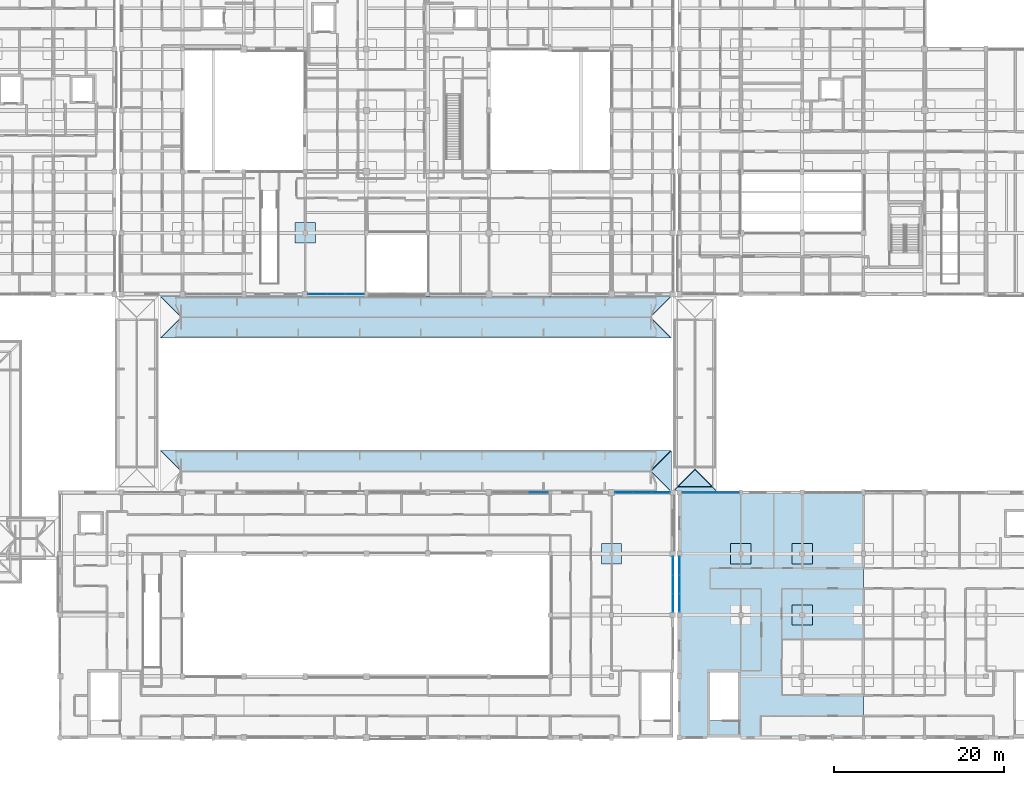
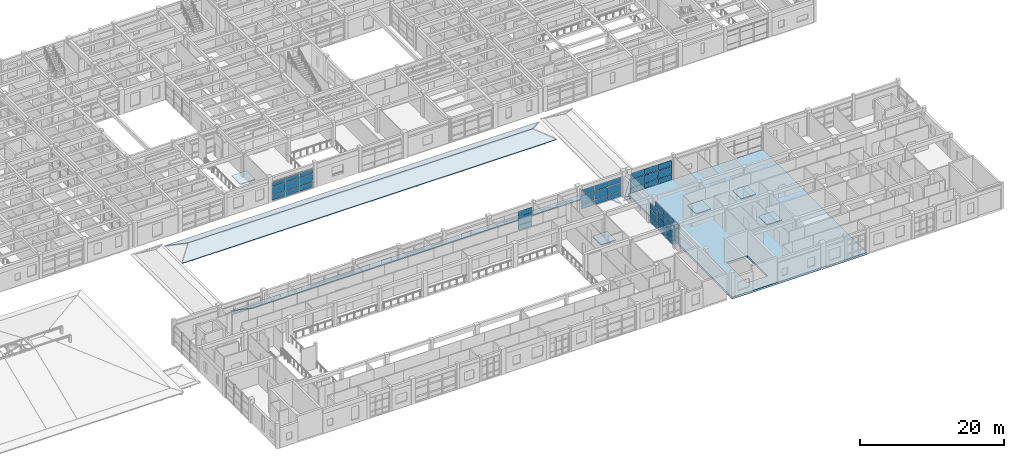
# One storey, part 62 of 110: 48 plates, 12 slabs, 9 elements without a shape of their own.
"""IFC4 building model written with IfcOpenShell, lengths in metres."""

from ifc_helpers import new_model, si_unit, direction, frame, origin, origin_2d, place, context, subcontext, project, spatial, polyline, rectangle, outline, extrude, material, layer, layer_set, type_object, element, aggregate, save


model = new_model("IFC4")

# Units and contexts
model_context = context("Model", 3, precision=1e-05, world=origin(), true_north=direction((0.0, 1.0)))
body_context = subcontext(model_context, "Body", "Model", "MODEL_VIEW")
ifc_project = project(units=[si_unit("LENGTHUNIT", "METRE"), si_unit("AREAUNIT", "SQUARE_METRE"), si_unit("VOLUMEUNIT", "CUBIC_METRE"), si_unit("PLANEANGLEUNIT", "RADIAN"), si_unit("MASSUNIT", "GRAM", prefix="KILO")], contexts=[model_context])

# Site, building, storey
site_placement = place(None, origin())
site = spatial("IfcSite", under=ifc_project, at=site_placement, CompositionType="ELEMENT")
building_placement = place(site_placement, origin())
building = spatial("IfcBuilding", under=site, at=building_placement, Name="Steenspoor Specialist Clinic", CompositionType="ELEMENT")
storey_placement = place(building_placement, frame((0.0, 0.0, 4.800048828125)))
storey = spatial("IfcBuildingStorey", under=building, at=storey_placement, Name="L01", CompositionType="ELEMENT", Elevation=4.800048828125)

# Curtain wall, plates
ifc_material_1 = material(Name="Thermally broken aluminium and low-emissivity glass", Category="aluminium")
curtain_wall_type_1 = type_object("IfcCurtainWallType", Name="CW-HALL-480X820", PredefinedType="USERDEFINED", material=ifc_material_1)
curtain_wall_1_placement = place(storey_placement, origin())
curtain_wall_1 = element("IfcCurtainWall", 1, at=curtain_wall_1_placement, inside=storey, type_object=curtain_wall_type_1, Name="Unitised Curtain Wall CW-V1-L01-027", ObjectType="UNITISED GLAZING", PredefinedType="USERDEFINED")
ifc_material_2 = material(Name="Double low-emissivity insulated glass", Category="glass")
ifc_layer_1 = layer(ifc_material_2, 0.035888671875)
ifc_layer_set_1 = layer_set([ifc_layer_1], Name="Double low-emissivity insulated glass")
plate_type_1 = type_object("IfcPlateType", Name="CW-PAN-GL36", PredefinedType="CURTAIN_PANEL", material=ifc_layer_set_1)
plate_1_placement = place(storey_placement, frame((111.478759765625, 41.85009765625, 0.06494140625), z_axis=(0.0, 0.0, 1.0), x_axis=(1.0, 0.0, 0.0)))
plate_1 = element("IfcPlate", 2, at=plate_1_placement, type_object=plate_type_1, Name="CW-03 panel 1.1", PredefinedType="CURTAIN_PANEL", context=body_context, shape_type="SweptSolid", body=[
    extrude(rectangle(XDim=2.077392578125, YDim=0.035888671875, at=origin_2d()), origin(), (0.0, 0.0, 1.0), 0.802490234375),
])
plate_2_placement = place(storey_placement, frame((111.478759765625, 41.85009765625, 0.9326171875), z_axis=(0.0, 0.0, 1.0), x_axis=(1.0, 0.0, 0.0)))
plate_2 = element("IfcPlate", 3, at=plate_2_placement, type_object=plate_type_1, Name="CW-03 panel 1.2", PredefinedType="CURTAIN_PANEL", context=body_context, shape_type="SweptSolid", body=[
    extrude(rectangle(XDim=2.077392578125, YDim=0.035888671875, at=origin_2d()), origin(), (0.0, 0.0, 1.0), 1.385009765625),
])
plate_3_placement = place(storey_placement, frame((111.478759765625, 41.85009765625, 2.38232421875), z_axis=(0.0, 0.0, 1.0), x_axis=(1.0, 0.0, 0.0)))
plate_3 = element("IfcPlate", 4, at=plate_3_placement, type_object=plate_type_1, Name="CW-03 panel 1.3", PredefinedType="CURTAIN_PANEL", context=body_context, shape_type="SweptSolid", body=[
    extrude(rectangle(XDim=2.077392578125, YDim=0.035888671875, at=origin_2d()), origin(), (0.0, 0.0, 1.0), 0.9326171875),
])
plate_4_placement = place(storey_placement, frame((113.637451171875, 41.85009765625, 0.06494140625), z_axis=(0.0, 0.0, 1.0), x_axis=(1.0, 0.0, 0.0)))
plate_4 = element("IfcPlate", 5, at=plate_4_placement, type_object=plate_type_1, Name="CW-03 panel 2.1", PredefinedType="CURTAIN_PANEL", context=body_context, shape_type="SweptSolid", body=[
    extrude(rectangle(XDim=2.110107421875, YDim=0.035888671875, at=origin_2d()), origin(), (0.0, 0.0, 1.0), 0.802490234375),
])
plate_5_placement = place(storey_placement, frame((113.637451171875, 41.85009765625, 0.9326171875), z_axis=(0.0, 0.0, 1.0), x_axis=(1.0, 0.0, 0.0)))
plate_5 = element("IfcPlate", 6, at=plate_5_placement, type_object=plate_type_1, Name="CW-03 panel 2.2", PredefinedType="CURTAIN_PANEL", context=body_context, shape_type="SweptSolid", body=[
    extrude(rectangle(XDim=2.110107421875, YDim=0.035888671875, at=origin_2d()), origin(), (0.0, 0.0, 1.0), 1.385009765625),
])
plate_6_placement = place(storey_placement, frame((113.637451171875, 41.85009765625, 2.38232421875), z_axis=(0.0, 0.0, 1.0), x_axis=(1.0, 0.0, 0.0)))
plate_6 = element("IfcPlate", 7, at=plate_6_placement, type_object=plate_type_1, Name="CW-03 panel 2.3", PredefinedType="CURTAIN_PANEL", context=body_context, shape_type="SweptSolid", body=[
    extrude(rectangle(XDim=2.110107421875, YDim=0.035888671875, at=origin_2d()), origin(), (0.0, 0.0, 1.0), 0.9326171875),
])
plate_7_placement = place(storey_placement, frame((115.796142578125, 41.85009765625, 0.06494140625), z_axis=(0.0, 0.0, 1.0), x_axis=(1.0, 0.0, 0.0)))
plate_7 = element("IfcPlate", 8, at=plate_7_placement, type_object=plate_type_1, Name="CW-03 panel 3.1", PredefinedType="CURTAIN_PANEL", context=body_context, shape_type="SweptSolid", body=[
    extrude(rectangle(XDim=2.077392578125, YDim=0.035888671875, at=origin_2d()), origin(), (0.0, 0.0, 1.0), 0.802490234375),
])
plate_8_placement = place(storey_placement, frame((115.796142578125, 41.85009765625, 0.9326171875), z_axis=(0.0, 0.0, 1.0), x_axis=(1.0, 0.0, 0.0)))
plate_8 = element("IfcPlate", 9, at=plate_8_placement, type_object=plate_type_1, Name="CW-03 panel 3.2", PredefinedType="CURTAIN_PANEL", context=body_context, shape_type="SweptSolid", body=[
    extrude(rectangle(XDim=2.077392578125, YDim=0.035888671875, at=origin_2d()), origin(), (0.0, 0.0, 1.0), 1.385009765625),
])
plate_9_placement = place(storey_placement, frame((115.796142578125, 41.85009765625, 2.38232421875), z_axis=(0.0, 0.0, 1.0), x_axis=(1.0, 0.0, 0.0)))
plate_9 = element("IfcPlate", 10, at=plate_9_placement, type_object=plate_type_1, Name="CW-03 panel 3.3", PredefinedType="CURTAIN_PANEL", context=body_context, shape_type="SweptSolid", body=[
    extrude(rectangle(XDim=2.077392578125, YDim=0.035888671875, at=origin_2d()), origin(), (0.0, 0.0, 1.0), 0.9326171875),
])
aggregate(curtain_wall_1, [plate_1, plate_2, plate_3, plate_4, plate_5, plate_6, plate_7, plate_8, plate_9])

curtain_wall_type_2 = type_object("IfcCurtainWallType", Name="CW-TYP-300X355", PredefinedType="USERDEFINED", material=ifc_material_1)
curtain_wall_2_placement = place(storey_placement, origin())
curtain_wall_2 = element("IfcCurtainWall", 11, at=curtain_wall_2_placement, inside=storey, type_object=curtain_wall_type_2, Name="Unitised Curtain Wall CW-V4-L01-063", ObjectType="UNITISED GLAZING", PredefinedType="USERDEFINED")
plate_10_placement = place(storey_placement, frame((79.84619140625, 65.14990234375, 0.059814453125), z_axis=(0.0, 0.0, 1.0), x_axis=(-1.0, 0.0, 0.0)))
plate_10 = element("IfcPlate", 12, at=plate_10_placement, type_object=plate_type_1, Name="CW-15 panel 1.1", PredefinedType="CURTAIN_PANEL", context=body_context, shape_type="SweptSolid", body=[
    extrude(rectangle(XDim=2.12744140625, YDim=0.035888671875, at=origin_2d()), origin(), (0.0, 0.0, 1.0), 0.81005859375),
])
plate_11_placement = place(storey_placement, frame((79.84619140625, 65.14990234375, 0.93017578125), z_axis=(0.0, 0.0, 1.0), x_axis=(-1.0, 0.0, 0.0)))
plate_11 = element("IfcPlate", 13, at=plate_11_placement, type_object=plate_type_1, Name="CW-15 panel 1.2", PredefinedType="CURTAIN_PANEL", context=body_context, shape_type="SweptSolid", body=[
    extrude(rectangle(XDim=2.12744140625, YDim=0.035888671875, at=origin_2d()), origin(), (0.0, 0.0, 1.0), 1.389892578125),
])
plate_12_placement = place(storey_placement, frame((79.84619140625, 65.14990234375, 2.3798828125), z_axis=(0.0, 0.0, 1.0), x_axis=(-1.0, 0.0, 0.0)))
plate_12 = element("IfcPlate", 14, at=plate_12_placement, type_object=plate_type_1, Name="CW-15 panel 1.3", PredefinedType="CURTAIN_PANEL", context=body_context, shape_type="SweptSolid", body=[
    extrude(rectangle(XDim=2.12744140625, YDim=0.035888671875, at=origin_2d()), origin(), (0.0, 0.0, 1.0), 0.68994140625),
])
plate_13_placement = place(storey_placement, frame((77.637451171875, 65.14990234375, 0.059814453125), z_axis=(0.0, 0.0, 1.0), x_axis=(-1.0, 0.0, 0.0)))
plate_13 = element("IfcPlate", 15, at=plate_13_placement, type_object=plate_type_1, Name="CW-15 panel 2.1", PredefinedType="CURTAIN_PANEL", context=body_context, shape_type="SweptSolid", body=[
    extrude(rectangle(XDim=2.159912109375, YDim=0.035888671875, at=origin_2d()), origin(), (0.0, 0.0, 1.0), 0.81005859375),
])
plate_14_placement = place(storey_placement, frame((77.637451171875, 65.14990234375, 0.93017578125), z_axis=(0.0, 0.0, 1.0), x_axis=(-1.0, 0.0, 0.0)))
plate_14 = element("IfcPlate", 16, at=plate_14_placement, type_object=plate_type_1, Name="CW-15 panel 2.2", PredefinedType="CURTAIN_PANEL", context=body_context, shape_type="SweptSolid", body=[
    extrude(rectangle(XDim=2.159912109375, YDim=0.035888671875, at=origin_2d()), origin(), (0.0, 0.0, 1.0), 1.389892578125),
])
plate_15_placement = place(storey_placement, frame((77.637451171875, 65.14990234375, 2.3798828125), z_axis=(0.0, 0.0, 1.0), x_axis=(-1.0, 0.0, 0.0)))
plate_15 = element("IfcPlate", 17, at=plate_15_placement, type_object=plate_type_1, Name="CW-15 panel 2.3", PredefinedType="CURTAIN_PANEL", context=body_context, shape_type="SweptSolid", body=[
    extrude(rectangle(XDim=2.159912109375, YDim=0.035888671875, at=origin_2d()), origin(), (0.0, 0.0, 1.0), 0.68994140625),
])
plate_16_placement = place(storey_placement, frame((75.4287109375, 65.14990234375, 0.059814453125), z_axis=(0.0, 0.0, 1.0), x_axis=(-1.0, 0.0, 0.0)))
plate_16 = element("IfcPlate", 18, at=plate_16_placement, type_object=plate_type_1, Name="CW-15 panel 3.1", PredefinedType="CURTAIN_PANEL", context=body_context, shape_type="SweptSolid", body=[
    extrude(rectangle(XDim=2.12744140625, YDim=0.035888671875, at=origin_2d()), origin(), (0.0, 0.0, 1.0), 0.81005859375),
])
plate_17_placement = place(storey_placement, frame((75.4287109375, 65.14990234375, 0.93017578125), z_axis=(0.0, 0.0, 1.0), x_axis=(-1.0, 0.0, 0.0)))
plate_17 = element("IfcPlate", 19, at=plate_17_placement, type_object=plate_type_1, Name="CW-15 panel 3.2", PredefinedType="CURTAIN_PANEL", context=body_context, shape_type="SweptSolid", body=[
    extrude(rectangle(XDim=2.12744140625, YDim=0.035888671875, at=origin_2d()), origin(), (0.0, 0.0, 1.0), 1.389892578125),
])
plate_18_placement = place(storey_placement, frame((75.4287109375, 65.14990234375, 2.3798828125), z_axis=(0.0, 0.0, 1.0), x_axis=(-1.0, 0.0, 0.0)))
plate_18 = element("IfcPlate", 20, at=plate_18_placement, type_object=plate_type_1, Name="CW-15 panel 3.3", PredefinedType="CURTAIN_PANEL", context=body_context, shape_type="SweptSolid", body=[
    extrude(rectangle(XDim=2.12744140625, YDim=0.035888671875, at=origin_2d()), origin(), (0.0, 0.0, 1.0), 0.68994140625),
])
aggregate(curtain_wall_2, [plate_10, plate_11, plate_12, plate_13, plate_14, plate_15, plate_16, plate_17, plate_18])

curtain_wall_type_3 = type_object("IfcCurtainWallType", Name="CW-L00-660X415", PredefinedType="USERDEFINED", material=ifc_material_1)
curtain_wall_3_placement = place(storey_placement, origin())
curtain_wall_3 = element("IfcCurtainWall", 21, at=curtain_wall_3_placement, inside=storey, type_object=curtain_wall_type_3, Name="Unitised Curtain Wall CW-V1-L01-028", ObjectType="UNITISED GLAZING", PredefinedType="USERDEFINED")
ifc_material_3 = material(Name="Triple acoustic laminated low-emissivity glass", Category="glass")
ifc_layer_2 = layer(ifc_material_3, 0.048095703125)
ifc_layer_set_2 = layer_set([ifc_layer_2], Name="Triple acoustic laminated low-emissivity glass")
plate_type_2 = type_object("IfcPlateType", Name="CW-PAN-GL48", PredefinedType="CURTAIN_PANEL", material=ifc_layer_set_2)
plate_19_placement = place(storey_placement, frame((117.199951171875, 33.235107421875, 0.059814453125), z_axis=(0.0, 0.0, 1.0), x_axis=(0.0, -1.0, 0.0)))
plate_19 = element("IfcPlate", 22, at=plate_19_placement, type_object=plate_type_2, Name="CW-04 panel 1.1", PredefinedType="CURTAIN_PANEL", context=body_context, shape_type="SweptSolid", body=[
    extrude(rectangle(XDim=2.110107421875, YDim=0.048095703125, at=origin_2d()), origin(), (0.0, 0.0, 1.0), 0.81005859375),
])
plate_20_placement = place(storey_placement, frame((117.199951171875, 33.235107421875, 0.93017578125), z_axis=(0.0, 0.0, 1.0), x_axis=(0.0, -1.0, 0.0)))
plate_20 = element("IfcPlate", 23, at=plate_20_placement, type_object=plate_type_2, Name="CW-04 panel 1.2", PredefinedType="CURTAIN_PANEL", context=body_context, shape_type="SweptSolid", body=[
    extrude(rectangle(XDim=2.110107421875, YDim=0.048095703125, at=origin_2d()), origin(), (0.0, 0.0, 1.0), 1.389892578125),
])
plate_21_placement = place(storey_placement, frame((117.199951171875, 33.235107421875, 2.3798828125), z_axis=(0.0, 0.0, 1.0), x_axis=(0.0, -1.0, 0.0)))
plate_21 = element("IfcPlate", 24, at=plate_21_placement, type_object=plate_type_2, Name="CW-04 panel 1.3", PredefinedType="CURTAIN_PANEL", context=body_context, shape_type="SweptSolid", body=[
    extrude(rectangle(XDim=2.110107421875, YDim=0.048095703125, at=origin_2d()), origin(), (0.0, 0.0, 1.0), 0.93994140625),
])
plate_22_placement = place(storey_placement, frame((117.199951171875, 31.050048828125, 0.059814453125), z_axis=(0.0, 0.0, 1.0), x_axis=(0.0, -1.0, 0.0)))
plate_22 = element("IfcPlate", 25, at=plate_22_placement, type_object=plate_type_2, Name="CW-04 panel 2.1", PredefinedType="CURTAIN_PANEL", context=body_context, shape_type="SweptSolid", body=[
    extrude(rectangle(XDim=2.139892578125, YDim=0.048095703125, at=origin_2d()), origin(), (0.0, 0.0, 1.0), 0.81005859375),
])
plate_23_placement = place(storey_placement, frame((117.199951171875, 31.050048828125, 0.93017578125), z_axis=(0.0, 0.0, 1.0), x_axis=(0.0, -1.0, 0.0)))
plate_23 = element("IfcPlate", 26, at=plate_23_placement, type_object=plate_type_2, Name="CW-04 panel 2.2", PredefinedType="CURTAIN_PANEL", context=body_context, shape_type="SweptSolid", body=[
    extrude(rectangle(XDim=2.139892578125, YDim=0.048095703125, at=origin_2d()), origin(), (0.0, 0.0, 1.0), 1.389892578125),
])
plate_24_placement = place(storey_placement, frame((117.199951171875, 31.050048828125, 2.3798828125), z_axis=(0.0, 0.0, 1.0), x_axis=(0.0, -1.0, 0.0)))
plate_24 = element("IfcPlate", 27, at=plate_24_placement, type_object=plate_type_2, Name="CW-04 panel 2.3", PredefinedType="CURTAIN_PANEL", context=body_context, shape_type="SweptSolid", body=[
    extrude(rectangle(XDim=2.139892578125, YDim=0.048095703125, at=origin_2d()), origin(), (0.0, 0.0, 1.0), 0.93994140625),
])
plate_25_placement = place(storey_placement, frame((117.199951171875, 28.864990234375, 0.059814453125), z_axis=(0.0, 0.0, 1.0), x_axis=(0.0, -1.0, 0.0)))
plate_25 = element("IfcPlate", 28, at=plate_25_placement, type_object=plate_type_2, Name="CW-04 panel 3.1", PredefinedType="CURTAIN_PANEL", context=body_context, shape_type="SweptSolid", body=[
    extrude(rectangle(XDim=2.110107421875, YDim=0.048095703125, at=origin_2d()), origin(), (0.0, 0.0, 1.0), 0.81005859375),
])
plate_26_placement = place(storey_placement, frame((117.199951171875, 28.864990234375, 0.93017578125), z_axis=(0.0, 0.0, 1.0), x_axis=(0.0, -1.0, 0.0)))
plate_26 = element("IfcPlate", 29, at=plate_26_placement, type_object=plate_type_2, Name="CW-04 panel 3.2", PredefinedType="CURTAIN_PANEL", context=body_context, shape_type="SweptSolid", body=[
    extrude(rectangle(XDim=2.110107421875, YDim=0.048095703125, at=origin_2d()), origin(), (0.0, 0.0, 1.0), 1.389892578125),
])
plate_27_placement = place(storey_placement, frame((117.199951171875, 28.864990234375, 2.3798828125), z_axis=(0.0, 0.0, 1.0), x_axis=(0.0, -1.0, 0.0)))
plate_27 = element("IfcPlate", 30, at=plate_27_placement, type_object=plate_type_2, Name="CW-04 panel 3.3", PredefinedType="CURTAIN_PANEL", context=body_context, shape_type="SweptSolid", body=[
    extrude(rectangle(XDim=2.110107421875, YDim=0.048095703125, at=origin_2d()), origin(), (0.0, 0.0, 1.0), 0.93994140625),
])
aggregate(curtain_wall_3, [plate_19, plate_20, plate_21, plate_22, plate_23, plate_24, plate_25, plate_26, plate_27])

curtain_wall_type_4 = type_object("IfcCurtainWallType", Name="CW-L00-360X415", PredefinedType="USERDEFINED", material=ifc_material_1)
curtain_wall_4_placement = place(storey_placement, origin())
curtain_wall_4 = element("IfcCurtainWall", 31, at=curtain_wall_4_placement, inside=storey, type_object=curtain_wall_type_4, Name="Unitised Curtain Wall CW-V2-L01-031", ObjectType="UNITISED GLAZING", PredefinedType="USERDEFINED")
plate_28_placement = place(storey_placement, frame((118.0, 28.8701171875, 0.070068359375), z_axis=(0.0, 0.0, 1.0), x_axis=(0.0, 1.0, 0.0)))
plate_28 = element("IfcPlate", 32, at=plate_28_placement, type_object=plate_type_2, Name="CW-07 panel 1.1", PredefinedType="CURTAIN_PANEL", context=body_context, shape_type="SweptSolid", body=[
    extrude(rectangle(XDim=2.080078125, YDim=0.048095703125, at=origin_2d()), origin(), (0.0, 0.0, 1.0), 0.794921875),
])
plate_29_placement = place(storey_placement, frame((118.0, 28.8701171875, 0.93505859375), z_axis=(0.0, 0.0, 1.0), x_axis=(0.0, 1.0, 0.0)))
plate_29 = element("IfcPlate", 33, at=plate_29_placement, type_object=plate_type_2, Name="CW-07 panel 1.2", PredefinedType="CURTAIN_PANEL", context=body_context, shape_type="SweptSolid", body=[
    extrude(rectangle(XDim=2.080078125, YDim=0.048095703125, at=origin_2d()), origin(), (0.0, 0.0, 1.0), 1.3798828125),
])
plate_30_placement = place(storey_placement, frame((118.0, 28.8701171875, 2.384765625), z_axis=(0.0, 0.0, 1.0), x_axis=(0.0, 1.0, 0.0)))
plate_30 = element("IfcPlate", 34, at=plate_30_placement, type_object=plate_type_2, Name="CW-07 panel 1.3", PredefinedType="CURTAIN_PANEL", context=body_context, shape_type="SweptSolid", body=[
    extrude(rectangle(XDim=2.080078125, YDim=0.048095703125, at=origin_2d()), origin(), (0.0, 0.0, 1.0), 0.925048828125),
])
plate_31_placement = place(storey_placement, frame((118.0, 31.050048828125, 0.070068359375), z_axis=(0.0, 0.0, 1.0), x_axis=(0.0, 1.0, 0.0)))
plate_31 = element("IfcPlate", 35, at=plate_31_placement, type_object=plate_type_2, Name="CW-07 panel 2.1", PredefinedType="CURTAIN_PANEL", context=body_context, shape_type="SweptSolid", body=[
    extrude(rectangle(XDim=2.1201171875, YDim=0.048095703125, at=origin_2d()), origin(), (0.0, 0.0, 1.0), 0.794921875),
])
plate_32_placement = place(storey_placement, frame((118.0, 31.050048828125, 0.93505859375), z_axis=(0.0, 0.0, 1.0), x_axis=(0.0, 1.0, 0.0)))
plate_32 = element("IfcPlate", 36, at=plate_32_placement, type_object=plate_type_2, Name="CW-07 panel 2.2", PredefinedType="CURTAIN_PANEL", context=body_context, shape_type="SweptSolid", body=[
    extrude(rectangle(XDim=2.1201171875, YDim=0.048095703125, at=origin_2d()), origin(), (0.0, 0.0, 1.0), 1.3798828125),
])
plate_33_placement = place(storey_placement, frame((118.0, 31.050048828125, 2.384765625), z_axis=(0.0, 0.0, 1.0), x_axis=(0.0, 1.0, 0.0)))
plate_33 = element("IfcPlate", 37, at=plate_33_placement, type_object=plate_type_2, Name="CW-07 panel 2.3", PredefinedType="CURTAIN_PANEL", context=body_context, shape_type="SweptSolid", body=[
    extrude(rectangle(XDim=2.1201171875, YDim=0.048095703125, at=origin_2d()), origin(), (0.0, 0.0, 1.0), 0.925048828125),
])
plate_34_placement = place(storey_placement, frame((118.0, 33.22998046875, 0.070068359375), z_axis=(0.0, 0.0, 1.0), x_axis=(0.0, 1.0, 0.0)))
plate_34 = element("IfcPlate", 38, at=plate_34_placement, type_object=plate_type_2, Name="CW-07 panel 3.1", PredefinedType="CURTAIN_PANEL", context=body_context, shape_type="SweptSolid", body=[
    extrude(rectangle(XDim=2.080078125, YDim=0.048095703125, at=origin_2d()), origin(), (0.0, 0.0, 1.0), 0.794921875),
])
plate_35_placement = place(storey_placement, frame((118.0, 33.22998046875, 0.93505859375), z_axis=(0.0, 0.0, 1.0), x_axis=(0.0, 1.0, 0.0)))
plate_35 = element("IfcPlate", 39, at=plate_35_placement, type_object=plate_type_2, Name="CW-07 panel 3.2", PredefinedType="CURTAIN_PANEL", context=body_context, shape_type="SweptSolid", body=[
    extrude(rectangle(XDim=2.080078125, YDim=0.048095703125, at=origin_2d()), origin(), (0.0, 0.0, 1.0), 1.3798828125),
])
plate_36_placement = place(storey_placement, frame((118.0, 33.22998046875, 2.384765625), z_axis=(0.0, 0.0, 1.0), x_axis=(0.0, 1.0, 0.0)))
plate_36 = element("IfcPlate", 40, at=plate_36_placement, type_object=plate_type_2, Name="CW-07 panel 3.3", PredefinedType="CURTAIN_PANEL", context=body_context, shape_type="SweptSolid", body=[
    extrude(rectangle(XDim=2.080078125, YDim=0.048095703125, at=origin_2d()), origin(), (0.0, 0.0, 1.0), 0.925048828125),
])
aggregate(curtain_wall_4, [plate_28, plate_29, plate_30, plate_31, plate_32, plate_33, plate_34, plate_35, plate_36])

curtain_wall_type_5 = type_object("IfcCurtainWallType", Name="CW-HALL-650X820", PredefinedType="USERDEFINED", material=ifc_material_1)
curtain_wall_5_placement = place(storey_placement, origin())
curtain_wall_5 = element("IfcCurtainWall", 41, at=curtain_wall_5_placement, inside=storey, type_object=curtain_wall_type_5, Name="Unitised Curtain Wall CW-V1-L01-026", ObjectType="UNITISED GLAZING", PredefinedType="USERDEFINED")
ifc_material_4 = material(Name="Insulated glazed ceramic spandrel panel", Category="glass")
ifc_layer_3 = layer(ifc_material_4, 0.074951171875)
ifc_layer_set_3 = layer_set([ifc_layer_3], Name="Insulated glazed ceramic spandrel panel")
plate_type_3 = type_object("IfcPlateType", Name="CW-PAN-SP75", PredefinedType="CURTAIN_PANEL", material=ifc_layer_set_3)
plate_37_placement = place(storey_placement, frame((101.469970703125, 41.85009765625, 0.070068359375), z_axis=(0.0, 0.0, 1.0), x_axis=(1.0, 0.0, 0.0)))
plate_37 = element("IfcPlate", 42, at=plate_37_placement, type_object=plate_type_3, Name="CW-02 panel 3.1", PredefinedType="CURTAIN_PANEL", context=body_context, shape_type="SweptSolid", body=[
    extrude(rectangle(XDim=2.1201171875, YDim=0.074951171875, at=origin_2d()), origin(), (0.0, 0.0, 1.0), 0.794921875),
])
plate_38_placement = place(storey_placement, frame((101.469970703125, 41.85009765625, 0.93505859375), z_axis=(0.0, 0.0, 1.0), x_axis=(1.0, 0.0, 0.0)))
plate_38 = element("IfcPlate", 43, at=plate_38_placement, type_object=plate_type_3, Name="CW-02 panel 3.2", PredefinedType="CURTAIN_PANEL", context=body_context, shape_type="SweptSolid", body=[
    extrude(rectangle(XDim=2.1201171875, YDim=0.074951171875, at=origin_2d()), origin(), (0.0, 0.0, 1.0), 1.3798828125),
])
plate_39_placement = place(storey_placement, frame((101.469970703125, 41.85009765625, 2.384765625), z_axis=(0.0, 0.0, 1.0), x_axis=(1.0, 0.0, 0.0)))
plate_39 = element("IfcPlate", 44, at=plate_39_placement, type_object=plate_type_3, Name="CW-02 panel 3.3", PredefinedType="CURTAIN_PANEL", context=body_context, shape_type="SweptSolid", body=[
    extrude(rectangle(XDim=2.1201171875, YDim=0.074951171875, at=origin_2d()), origin(), (0.0, 0.0, 1.0), 0.844970703125),
])
aggregate(curtain_wall_5, [plate_37, plate_38, plate_39])

curtain_wall_type_6 = type_object("IfcCurtainWallType", Name="CW-L00-240X415", PredefinedType="USERDEFINED", material=ifc_material_1)
curtain_wall_6_placement = place(storey_placement, origin())
curtain_wall_6 = element("IfcCurtainWall", 45, at=curtain_wall_6_placement, inside=storey, type_object=curtain_wall_type_6, Name="Unitised Curtain Wall CW-V2-L01-032", ObjectType="UNITISED GLAZING", PredefinedType="USERDEFINED")
plate_40_placement = place(storey_placement, frame((119.43408203125, 41.85009765625, 0.06494140625), z_axis=(0.0, 0.0, 1.0), x_axis=(1.0, 0.0, 0.0)))
plate_40 = element("IfcPlate", 46, at=plate_40_placement, type_object=plate_type_3, Name="CW-08 panel 1.1", PredefinedType="CURTAIN_PANEL", context=body_context, shape_type="SweptSolid", body=[
    extrude(rectangle(XDim=2.12841796875, YDim=0.074951171875, at=origin_2d()), origin(), (0.0, 0.0, 1.0), 0.802490234375),
])
plate_41_placement = place(storey_placement, frame((119.43408203125, 41.85009765625, 0.9326171875), z_axis=(0.0, 0.0, 1.0), x_axis=(1.0, 0.0, 0.0)))
plate_41 = element("IfcPlate", 47, at=plate_41_placement, type_object=plate_type_3, Name="CW-08 panel 1.2", PredefinedType="CURTAIN_PANEL", context=body_context, shape_type="SweptSolid", body=[
    extrude(rectangle(XDim=2.12841796875, YDim=0.074951171875, at=origin_2d()), origin(), (0.0, 0.0, 1.0), 1.385009765625),
])
plate_42_placement = place(storey_placement, frame((119.43408203125, 41.85009765625, 2.38232421875), z_axis=(0.0, 0.0, 1.0), x_axis=(1.0, 0.0, 0.0)))
plate_42 = element("IfcPlate", 48, at=plate_42_placement, type_object=plate_type_3, Name="CW-08 panel 1.3", PredefinedType="CURTAIN_PANEL", context=body_context, shape_type="SweptSolid", body=[
    extrude(rectangle(XDim=2.12841796875, YDim=0.074951171875, at=origin_2d()), origin(), (0.0, 0.0, 1.0), 0.9326171875),
])
plate_43_placement = place(storey_placement, frame((121.64990234375, 41.85009765625, 0.06494140625), z_axis=(0.0, 0.0, 1.0), x_axis=(1.0, 0.0, 0.0)))
plate_43 = element("IfcPlate", 49, at=plate_43_placement, type_object=plate_type_3, Name="CW-08 panel 2.1", PredefinedType="CURTAIN_PANEL", context=body_context, shape_type="SweptSolid", body=[
    extrude(rectangle(XDim=2.163330078125, YDim=0.074951171875, at=origin_2d()), origin(), (0.0, 0.0, 1.0), 0.802490234375),
])
plate_44_placement = place(storey_placement, frame((121.64990234375, 41.85009765625, 0.9326171875), z_axis=(0.0, 0.0, 1.0), x_axis=(1.0, 0.0, 0.0)))
plate_44 = element("IfcPlate", 50, at=plate_44_placement, type_object=plate_type_3, Name="CW-08 panel 2.2", PredefinedType="CURTAIN_PANEL", context=body_context, shape_type="SweptSolid", body=[
    extrude(rectangle(XDim=2.163330078125, YDim=0.074951171875, at=origin_2d()), origin(), (0.0, 0.0, 1.0), 1.385009765625),
])
plate_45_placement = place(storey_placement, frame((121.64990234375, 41.85009765625, 2.38232421875), z_axis=(0.0, 0.0, 1.0), x_axis=(1.0, 0.0, 0.0)))
plate_45 = element("IfcPlate", 51, at=plate_45_placement, type_object=plate_type_3, Name="CW-08 panel 2.3", PredefinedType="CURTAIN_PANEL", context=body_context, shape_type="SweptSolid", body=[
    extrude(rectangle(XDim=2.163330078125, YDim=0.074951171875, at=origin_2d()), origin(), (0.0, 0.0, 1.0), 0.9326171875),
])
plate_46_placement = place(storey_placement, frame((123.86572265625, 41.85009765625, 0.06494140625), z_axis=(0.0, 0.0, 1.0), x_axis=(1.0, 0.0, 0.0)))
plate_46 = element("IfcPlate", 52, at=plate_46_placement, type_object=plate_type_3, Name="CW-08 panel 3.1", PredefinedType="CURTAIN_PANEL", context=body_context, shape_type="SweptSolid", body=[
    extrude(rectangle(XDim=2.12841796875, YDim=0.074951171875, at=origin_2d()), origin(), (0.0, 0.0, 1.0), 0.802490234375),
])
plate_47_placement = place(storey_placement, frame((123.86572265625, 41.85009765625, 0.9326171875), z_axis=(0.0, 0.0, 1.0), x_axis=(1.0, 0.0, 0.0)))
plate_47 = element("IfcPlate", 53, at=plate_47_placement, type_object=plate_type_3, Name="CW-08 panel 3.2", PredefinedType="CURTAIN_PANEL", context=body_context, shape_type="SweptSolid", body=[
    extrude(rectangle(XDim=2.12841796875, YDim=0.074951171875, at=origin_2d()), origin(), (0.0, 0.0, 1.0), 1.385009765625),
])
plate_48_placement = place(storey_placement, frame((123.86572265625, 41.85009765625, 2.38232421875), z_axis=(0.0, 0.0, 1.0), x_axis=(1.0, 0.0, 0.0)))
plate_48 = element("IfcPlate", 54, at=plate_48_placement, type_object=plate_type_3, Name="CW-08 panel 3.3", PredefinedType="CURTAIN_PANEL", context=body_context, shape_type="SweptSolid", body=[
    extrude(rectangle(XDim=2.12841796875, YDim=0.074951171875, at=origin_2d()), origin(), (0.0, 0.0, 1.0), 0.9326171875),
])
aggregate(curtain_wall_6, [plate_40, plate_41, plate_42, plate_43, plate_44, plate_45, plate_46, plate_47, plate_48])

# Slabs
ifc_material_5 = material(Name="Concrete C35/45", Category="concrete")
ifc_layer_4 = layer(ifc_material_5, 0.169921875)
ifc_layer_set_4 = layer_set([ifc_layer_4], Name="Concrete C35/45")
slab_type_1 = type_object("IfcSlabType", Name="SL-DROP-170", PredefinedType="USERDEFINED", material=ifc_layer_set_4)
slab_1_placement = place(storey_placement, frame((0.0, 0.0, -0.420166015625)))
element("IfcSlab", 55, at=slab_1_placement, inside=storey, type_object=slab_type_1, Name="Column Drop Panel DROP-V1-L01-004", ObjectType="DROP PANEL", PredefinedType="USERDEFINED", context=body_context, shape_type="SweptSolid", body=[
    extrude(outline(polyline([(111.199951171875, 33.449951171875), (111.199951171875, 35.85009765625), (108.800048828125, 35.85009765625), (108.800048828125, 33.449951171875), (111.199951171875, 33.449951171875)])), origin(), (0.0, 0.0, 1.0), 0.170166015625),
])
slab_2_placement = place(storey_placement, frame((0.0, 0.0, -0.510009765625)))
element("IfcSlab", 56, at=slab_2_placement, inside=storey, type_object=slab_type_1, Name="Column Drop Panel DROP-V2-L01-006", ObjectType="DROP PANEL", PredefinedType="USERDEFINED", context=body_context, shape_type="SweptSolid", body=[
    extrude(outline(polyline([(126.39990234375, 33.449951171875), (126.39990234375, 35.85009765625), (124.0, 35.85009765625), (124.0, 33.449951171875), (126.39990234375, 33.449951171875)])), origin(), (0.0, 0.0, 1.0), 0.169921875),
])
slab_3_placement = place(storey_placement, frame((0.0, 0.0, -0.510009765625)))
element("IfcSlab", 57, at=slab_3_placement, inside=storey, type_object=slab_type_1, Name="Column Drop Panel DROP-V2-L01-008", ObjectType="DROP PANEL", PredefinedType="USERDEFINED", context=body_context, shape_type="SweptSolid", body=[
    extrude(outline(polyline([(133.60009765625, 26.25), (133.60009765625, 28.64990234375), (131.199951171875, 28.64990234375), (131.199951171875, 26.25), (133.60009765625, 26.25)])), origin(), (0.0, 0.0, 1.0), 0.169921875),
])
slab_4_placement = place(storey_placement, frame((0.0, 0.0, -0.510009765625)))
element("IfcSlab", 58, at=slab_4_placement, inside=storey, type_object=slab_type_1, Name="Column Drop Panel DROP-V2-L01-009", ObjectType="DROP PANEL", PredefinedType="USERDEFINED", context=body_context, shape_type="SweptSolid", body=[
    extrude(outline(polyline([(133.60009765625, 33.449951171875), (133.60009765625, 35.85009765625), (131.199951171875, 35.85009765625), (131.199951171875, 33.449951171875), (133.60009765625, 33.449951171875)])), origin(), (0.0, 0.0, 1.0), 0.169921875),
])
slab_5_placement = place(storey_placement, frame((0.0, 0.0, -0.420166015625)))
element("IfcSlab", 59, at=slab_5_placement, inside=storey, type_object=slab_type_1, Name="Column Drop Panel DROP-V4-L01-022", ObjectType="DROP PANEL", PredefinedType="USERDEFINED", context=body_context, shape_type="SweptSolid", body=[
    extrude(outline(polyline([(75.199951171875, 71.14990234375), (75.199951171875, 73.550048828125), (72.800048828125, 73.550048828125), (72.800048828125, 71.14990234375), (75.199951171875, 71.14990234375)])), origin(), (0.0, 0.0, 1.0), 0.170166015625),
])
ifc_layer_5 = layer(ifc_material_5, 0.340087890625)
ifc_layer_set_5 = layer_set([ifc_layer_5], Name="Concrete C35/45")
slab_type_2 = type_object("IfcSlabType", Name="SL-IMAGING-340", PredefinedType="FLOOR", material=ifc_layer_set_5)
slab_6_placement = place(storey_placement, frame((0.0, 0.0, -0.340087890625)))
element("IfcSlab", 60, at=slab_6_placement, inside=storey, type_object=slab_type_2, Name="Structural Slab SLAB-V2-L01-010", PredefinedType="FLOOR", context=body_context, shape_type="SweptSolid", body=[
    extrude(outline(polyline([(118.0, 41.85009765625), (139.60009765625, 41.85009765625), (139.60009765625, 13.050048828125), (118.0, 13.050048828125), (118.0, 41.85009765625)]), holes=[polyline([(124.85009765625, 20.699951171875), (121.550048828125, 20.699951171875), (121.550048828125, 15.050048828125), (124.85009765625, 15.050048828125), (124.85009765625, 20.699951171875)])]), origin(), (0.0, 0.0, 1.0), 0.340087890625),
])

# Roof, slabs
ifc_material_6 = material(Name="Extruded terracotta clay roof tile", Category="masonry")
roof_type = type_object("IfcRoofType", Name="ROOF-HIP-TIER", PredefinedType="HIP_ROOF", material=ifc_material_6)
roof_1_placement = place(storey_placement, origin())
roof_1 = element("IfcRoof", 61, at=roof_1_placement, inside=storey, type_object=roof_type, Name="Tiered Hipped Roof WK2", PredefinedType="HIP_ROOF")
ifc_layer_6 = layer(ifc_material_5, 0.14990234375)
ifc_layer_set_6 = layer_set([ifc_layer_6], Name="Concrete C35/45")
slab_type_3 = type_object("IfcSlabType", Name="SL-ROOF-150", PredefinedType="ROOF", material=ifc_layer_set_6)
slab_7_placement = place(storey_placement, frame((117.75048828125, 42.490966796875, -0.89013671875), z_axis=(0.0, -0.241777034717, 0.970331832665), x_axis=(-0.696579139828, -0.696193650542, -0.173470178707)))
slab_7 = element("IfcSlab", 62, at=slab_7_placement, type_object=slab_type_3, Name="Hipped Roof Slab RSLAB-WK2-SKS", PredefinedType="ROOF", context=body_context, shape_type="SweptSolid", body=[
    extrude(outline(polyline([(0.0, 0.0), (0.6333266159588132, -1.0408340855860843e-17), (-2.8364742116579236, 3.5739120486322946), (-2.855362245536686, 2.9410372639580564), (0.0, 0.0)])), origin(), (0.0, 0.0, -1.0), 0.14990234375),
])
slab_8_placement = place(storey_placement, frame((119.800048828125, 44.54052734375, 0.412109375), z_axis=(0.0, -0.537295164305, 0.843394276963), x_axis=(-0.644757355171, -0.644679878921, -0.410701602952)))
slab_8 = element("IfcSlab", 63, at=slab_8_placement, type_object=slab_type_3, Name="Hipped Roof Slab RSLAB-WK2-S", PredefinedType="ROOF", context=body_context, shape_type="SweptSolid", body=[
    extrude(outline(polyline([(0.0, 0.0), (3.151167280147215, -2.7755575615628914e-16), (0.5313682903728886, 3.1058832829572967), (0.0, 0.0)])), origin(), (0.0, 0.0, -1.0), 0.14990234375),
])
aggregate(roof_1, [slab_7, slab_8])

roof_2_placement = place(storey_placement, origin())
roof_2 = element("IfcRoof", 64, at=roof_2_placement, inside=storey, type_object=roof_type, Name="Tiered Hipped Roof WK4", PredefinedType="HIP_ROOF")
slab_9_placement = place(storey_placement, frame((59.41748046875, 62.407958984375, -0.269775390625), z_axis=(0.0, -0.424939369225, 0.905221813967), x_axis=(-0.671100788619, -0.671100788619, -0.315035653585)))
slab_9 = element("IfcSlab", 65, at=slab_9_placement, type_object=slab_type_3, Name="Hipped Roof Slab RSLAB-WK4-S", PredefinedType="ROOF", context=body_context, shape_type="SweptSolid", body=[
    extrude(outline(polyline([(0.0, 0.0), (3.5880735430659914, 1.6653345369377348e-16), (-36.66519402273566, 44.46784969683873), (-37.02130121904852, 40.89749125332296), (0.0, 0.0)])), origin(), (0.0, 0.0, -1.0), 0.14990234375),
])
slab_10_placement = place(storey_placement, frame((114.58251953125, 62.491943359375, -0.269775390625), z_axis=(0.0, 0.424939369225, 0.905221813967), x_axis=(0.671100788619, 0.671100788619, -0.315035653585)))
slab_10 = element("IfcSlab", 66, at=slab_10_placement, type_object=slab_type_3, Name="Hipped Roof Slab RSLAB-WK4-N", PredefinedType="ROOF", context=body_context, shape_type="SweptSolid", body=[
    extrude(outline(polyline([(0.0, 0.0), (3.5880735430659914, 1.6653345369377348e-16), (-36.66519402273566, 44.46784969683873), (-37.02130121904852, 40.89749125332296), (0.0, 0.0)])), origin(), (0.0, 0.0, -1.0), 0.14990234375),
])
aggregate(roof_2, [slab_9, slab_10])

roof_3_placement = place(storey_placement, origin())
roof_3 = element("IfcRoof", 67, at=roof_3_placement, inside=storey, type_object=roof_type, Name="Tiered Hipped Roof WK5", PredefinedType="HIP_ROOF")
slab_11_placement = place(storey_placement, frame((114.58251953125, 44.39208984375, -0.269775390625), z_axis=(0.0, 0.424939369225, 0.905221813967), x_axis=(0.671100788619, 0.671100788619, -0.315035653585)))
slab_11 = element("IfcSlab", 68, at=slab_11_placement, type_object=slab_type_3, Name="Hipped Roof Slab RSLAB-WK5-N", PredefinedType="ROOF", context=body_context, shape_type="SweptSolid", body=[
    extrude(outline(polyline([(0.0, 0.0), (3.5880735430659914, 1.6653345369377348e-16), (-36.66519402273566, 44.46784969683873), (-37.02130121904852, 40.89749125332296), (0.0, 0.0)])), origin(), (0.0, 0.0, -1.0), 0.14990234375),
])
slab_12_placement = place(storey_placement, frame((114.659423828125, 44.35009765625, -0.27783203125), z_axis=(0.424964337764, 0.0, 0.905210092536), x_axis=(0.671096012417, -0.671096012417, -0.315056001745)))
slab_12 = element("IfcSlab", 69, at=slab_12_placement, type_object=slab_type_3, Name="Hipped Roof Slab RSLAB-WK5-E", PredefinedType="ROOF", context=body_context, shape_type="SweptSolid", body=[
    extrude(outline(polyline([(0.0, 0.0), (3.562269713671786, -1.1102230246251565e-16), (0.3537557461015475, 3.5444964589183563), (0.0, 0.0)])), origin(), (0.0, 0.0, -1.0), 0.14990234375),
])
aggregate(roof_3, [slab_11, slab_12])

save(model, "model.ifc")
